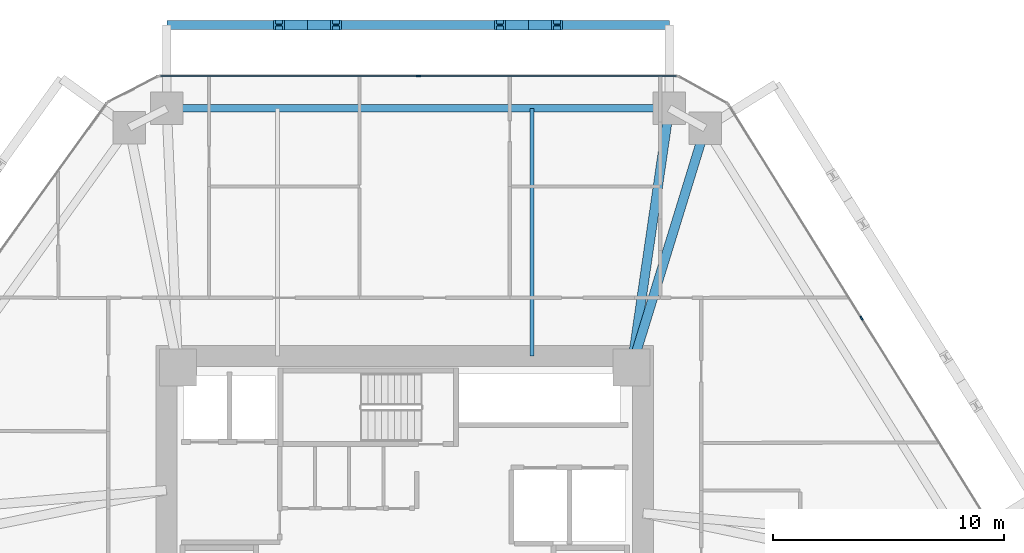
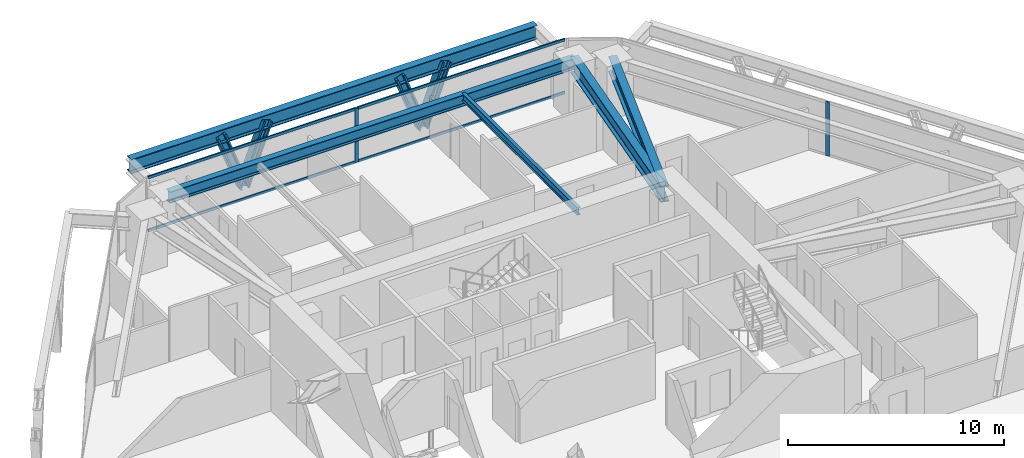
# One storey, part 8 of 15: 10 members, 5 beams, 2 elements without a shape of their own.
"""IFC4 building model written with IfcOpenShell, lengths in metres."""

from ifc_helpers import new_model, si_unit, direction, frame, origin, origin_2d, place, context, subcontext, project, spatial, rectangle, i_section, extrude, source, transform, mapped, material, layer, layer_set, material_profile, profile_set, type_object, type_shapes, element, aggregate, save


model = new_model("IFC4")

# Units and contexts
model_context = context("Model", 3, precision=1e-05, world=origin(), true_north=direction((0.0, 1.0)))
body_context = subcontext(model_context, "Body", "Model", "MODEL_VIEW")
ifc_project = project(units=[si_unit("LENGTHUNIT", "METRE"), si_unit("AREAUNIT", "SQUARE_METRE"), si_unit("VOLUMEUNIT", "CUBIC_METRE"), si_unit("PLANEANGLEUNIT", "RADIAN"), si_unit("MASSUNIT", "GRAM", prefix="KILO")], contexts=[model_context])

# Site, building, storey
site_placement = place(None, origin())
site = spatial("IfcSite", under=ifc_project, at=site_placement, CompositionType="ELEMENT")
building_placement = place(site_placement, origin())
building = spatial("IfcBuilding", under=site, at=building_placement, Name="Durnholm Broadcast Tower", CompositionType="ELEMENT")
storey_placement = place(building_placement, frame((0.0, 0.0, 42.300048828125)))
storey = spatial("IfcBuildingStorey", under=building, at=storey_placement, Name="L09", CompositionType="ELEMENT", Elevation=42.300048828125)

# Beams
ifc_material_1 = material(Name="Steel ASTM A992 Grade 50", Category="steel")
ifc_material_profile_1 = material_profile(ifc_material_1, i_section(OverallWidth=0.3291015625, OverallDepth=0.635009765625, WebThickness=0.017822265625, FlangeThickness=0.031005859375, FilletRadius=0.02783203125, at=origin_2d()), Name="W24X162")
ifc_profile_set_1 = profile_set([ifc_material_profile_1], Name="Steel ASTM A992 Grade 50")
beam_type_1 = type_object("IfcBeamType", Name="STL-SP-W24X162", PredefinedType="SPANDREL", material=ifc_profile_set_1)
shared_shape_1 = source(origin(), body_context, "Body", "SweptSolid", [
    extrude(i_section(OverallWidth=0.3291015625, OverallDepth=0.635009765625, WebThickness=0.017822265625, FlangeThickness=0.031005859375, FilletRadius=0.02783203125, at=origin_2d()), origin(), (0.0, 0.0, 1.0), 21.7138671875),
])
type_shapes(beam_type_1, [shared_shape_1])
beam_1_placement = place(storey_placement, frame((-10.28271484375, 19.0, 2.7275390625), z_axis=(1.0, 0.0, 0.0), x_axis=(0.0, 1.0, 0.0)))
element("IfcBeam", 1, at=beam_1_placement, inside=storey, type_object=beam_type_1, Name="L09 perimeter spandrel girder 05", PredefinedType="SPANDREL", context=body_context, shape_type="MappedRepresentation", body=[
    mapped(shared_shape_1, transform((0.0, 0.0, 0.0), x_axis=(1.0, 0.0, 0.0), y_axis=(0.0, 1.0, 0.0), z_axis=(0.0, 0.0, 1.0), scale=1.0)),
])
ifc_material_profile_2 = material_profile(ifc_material_1, i_section(OverallWidth=0.404052734375, OverallDepth=0.885009765625, WebThickness=0.0244140625, FlangeThickness=0.0439453125, FilletRadius=0.03564453125, at=origin_2d()), Name="W33X291")
ifc_profile_set_2 = profile_set([ifc_material_profile_2], Name="Steel ASTM A992 Grade 50")
beam_type_2 = type_object("IfcBeamType", Name="STL-GR-W33X291", PredefinedType="USERDEFINED", material=ifc_profile_set_2)
shared_shape_2 = source(origin(), body_context, "Body", "SweptSolid", [
    extrude(i_section(OverallWidth=0.404052734375, OverallDepth=0.885009765625, WebThickness=0.0244140625, FlangeThickness=0.0439453125, FilletRadius=0.03564453125, at=origin_2d()), origin(), (0.0, 0.0, 1.0), 11.318115234375),
])
beam_2_placement = place(storey_placement, frame((9.800048828125, 7.800048828125, 2.6025390625), z_axis=(0.144114595679, 0.989561005352, 0.0), x_axis=(-0.989561005352, 0.144114595679, 0.0)))
element("IfcBeam", 2, at=beam_2_placement, inside=storey, type_object=beam_type_2, Name="L09 radial primary floor girder 06", ObjectType="GIRDER", PredefinedType="USERDEFINED", context=body_context, shape_type="MappedRepresentation", body=[
    mapped(shared_shape_2, transform((0.0, 0.0, 0.0), x_axis=(1.0, 0.0, 0.0), y_axis=(0.0, 1.0, 0.0), z_axis=(0.0, 0.0, 1.0), scale=1.0)),
])
shared_shape_3 = source(origin(), body_context, "Body", "SweptSolid", [
    extrude(i_section(OverallWidth=0.404052734375, OverallDepth=0.885009765625, WebThickness=0.0244140625, FlangeThickness=0.0439453125, FilletRadius=0.03564453125, at=origin_2d()), origin(), (0.0, 0.0, 1.0), 10.817138671875),
])
type_shapes(beam_type_2, [shared_shape_2, shared_shape_3])
beam_3_placement = place(storey_placement, frame((9.800048828125, 7.800048828125, 2.6025390625), z_axis=(0.294219068418, 0.955738007918, 0.0), x_axis=(-0.955738007918, 0.294219068418, 0.0)))
element("IfcBeam", 3, at=beam_3_placement, inside=storey, type_object=beam_type_2, Name="L09 radial primary floor girder 07", ObjectType="GIRDER", PredefinedType="USERDEFINED", context=body_context, shape_type="MappedRepresentation", body=[
    mapped(shared_shape_3, transform((0.0, 0.0, 0.0), x_axis=(1.0, 0.0, 0.0), y_axis=(0.0, 1.0, 0.0), z_axis=(0.0, 0.0, 1.0), scale=1.0)),
])
ifc_material_profile_3 = material_profile(ifc_material_1, i_section(OverallWidth=0.180908203125, OverallDepth=0.417236328125, WebThickness=0.010986328125, FlangeThickness=0.018310546875, FilletRadius=0.01904296875, at=origin_2d()), Name="W16X57")
ifc_profile_set_3 = profile_set([ifc_material_profile_3], Name="Steel ASTM A992 Grade 50")
beam_type_3 = type_object("IfcBeamType", Name="STL-BJ-W16X57", PredefinedType="JOIST", material=ifc_profile_set_3)
shared_shape_4 = source(origin(), body_context, "Body", "SweptSolid", [
    extrude(i_section(OverallWidth=0.180908203125, OverallDepth=0.417236328125, WebThickness=0.010986328125, FlangeThickness=0.018310546875, FilletRadius=0.01904296875, at=origin_2d()), origin(), (0.0, 0.0, 1.0), 10.699951171875),
])
type_shapes(beam_type_3, [shared_shape_4])
beam_4_placement = place(storey_placement, frame((5.5, 8.300048828125, 2.83642578125), z_axis=(0.0, 1.0, 0.0), x_axis=(-1.0, 0.0, 0.0)))
element("IfcBeam", 4, at=beam_4_placement, inside=storey, type_object=beam_type_3, Name="L09 secondary floor joist 4.2", PredefinedType="JOIST", context=body_context, shape_type="MappedRepresentation", body=[
    mapped(shared_shape_4, transform((0.0, 0.0, 0.0), x_axis=(1.0, 0.0, 0.0), y_axis=(0.0, 1.0, 0.0), z_axis=(0.0, 0.0, 1.0), scale=1.0)),
])
ifc_material_profile_4 = material_profile(ifc_material_1, i_section(OverallWidth=0.385009765625, OverallDepth=0.802978515625, WebThickness=0.023681640625, FlangeThickness=0.0419921875, FilletRadius=0.032958984375, at=origin_2d()), Name="W30X261")
ifc_profile_set_4 = profile_set([ifc_material_profile_4], Name="Steel ASTM A992 Grade 50")
beam_type_4 = type_object("IfcBeamType", Name="BM-EXO-TIE", PredefinedType="USERDEFINED", material=ifc_profile_set_4)
shared_shape_5 = source(origin(), body_context, "Body", "SweptSolid", [
    extrude(i_section(OverallWidth=0.385009765625, OverallDepth=0.802978515625, WebThickness=0.023681640625, FlangeThickness=0.0419921875, FilletRadius=0.032958984375, at=origin_2d()), origin(), (0.0, 0.0, 1.0), 21.7138671875),
])
type_shapes(beam_type_4, [shared_shape_5])
beam_5_placement = place(storey_placement, frame((11.43115234375, 22.60009765625, 2.30859375), z_axis=(-1.0, 0.0, 0.0), x_axis=(0.0, -1.0, 0.0)))
element("IfcBeam", 5, at=beam_5_placement, inside=storey, type_object=beam_type_4, Name="L09 exoskeleton collector spandrel F4", PredefinedType="SPANDREL", context=body_context, shape_type="MappedRepresentation", body=[
    mapped(shared_shape_5, transform((0.0, 0.0, 0.0), x_axis=(1.0, 0.0, 0.0), y_axis=(0.0, 1.0, 0.0), z_axis=(0.0, 0.0, 1.0), scale=1.0)),
])

# Members
ifc_material_2 = material(Name="Steel ASTM A913 Grade 65", Category="steel")
ifc_material_profile_5 = material_profile(ifc_material_2, i_section(OverallWidth=0.43212890625, OverallDepth=0.497802734375, WebThickness=0.0556640625, FlangeThickness=0.0888671875, FilletRadius=0.030517578125, at=origin_2d()), Name="W14X500")
ifc_profile_set_5 = profile_set([ifc_material_profile_5], Name="Steel ASTM A913 Grade 65")
member_type_1 = type_object("IfcMemberType", Name="STL-DG-W14X500", PredefinedType="BRACE", material=ifc_profile_set_5)
shared_shape_6 = source(origin(), body_context, "Body", "SweptSolid", [
    extrude(i_section(OverallWidth=0.43212890625, OverallDepth=0.497802734375, WebThickness=0.0556640625, FlangeThickness=0.0888671875, FilletRadius=0.030517578125, at=origin_2d()), origin(), (0.0, 0.0, 1.0), 3.523193359375),
])
type_shapes(member_type_1, [shared_shape_6])
for number, where, z_axis, x_axis, name in (
    (6, (5.351318359375, 22.60009765625, -0.991455078125), (0.350219588454, 0.0, 0.936667625075), (0.0, 1.0, 0.0), "L09 stand-off diagrid brace F4.D1.1"),
    (7, (5.351318359375, 22.60009765625, -0.991455078125), (-0.350219588454, 0.0, 0.936667625075), (0.0, -1.0, 0.0), "L09 stand-off diagrid brace F4.D1.2"),
    (8, (-4.202880859375, 22.60009765625, -0.991455078125), (0.350219588454, 0.0, 0.936667625075), (0.0, 1.0, 0.0), "L09 stand-off diagrid brace F4.D2.1"),
    (9, (-4.202880859375, 22.60009765625, -0.991455078125), (-0.350219588454, 0.0, 0.936667625075), (0.0, -1.0, 0.0), "L09 stand-off diagrid brace F4.D2.2"),
):
    element("IfcMember", number, at=place(storey_placement, frame(where, z_axis=z_axis, x_axis=x_axis)), inside=storey, type_object=member_type_1, Name=name, PredefinedType="BRACE", context=body_context, shape_type="MappedRepresentation", body=[
        mapped(shared_shape_6, transform((0.0, 0.0, 0.0), x_axis=(1.0, 0.0, 0.0), y_axis=(0.0, 1.0, 0.0), z_axis=(0.0, 0.0, 1.0), scale=1.0)),
    ])

# Curtain wall, member
ifc_material_3 = material(Name="Aluminium and Solar Control IGU", Category="aluminium")
ifc_layer = layer(ifc_material_3, 0.18994140625)
ifc_layer_set = layer_set([ifc_layer], Name="Aluminium and Solar Control IGU")
curtain_wall_type = type_object("IfcCurtainWallType", Name="CW-SYS-3", PredefinedType="NOTDEFINED", material=ifc_layer_set)
curtain_wall_1_placement = place(storey_placement, origin())
curtain_wall_1 = element("IfcCurtainWall", 10, at=curtain_wall_1_placement, inside=storey, type_object=curtain_wall_type, Name="L09 curtain wall CW-Z12-VIS CW-L09-F04", PredefinedType="NOTDEFINED")
ifc_material_4 = material(Name="Aluminium 6063-T6", Category="aluminium")
ifc_material_profile_6 = material_profile(ifc_material_4, rectangle(XDim=0.070068359375, YDim=0.18994140625, at=origin_2d()), Name="CWM70X190")
ifc_profile_set_6 = profile_set([ifc_material_profile_6], Name="Aluminium 6063-T6")
member_type_2 = type_object("IfcMemberType", Name="CW-SYS-3-MUL", PredefinedType="MULLION", material=ifc_profile_set_6)
shared_shape_7 = source(origin(), body_context, "Body", "SweptSolid", [
    extrude(rectangle(XDim=0.070068359375, YDim=0.18994140625, at=origin_2d()), origin(), (0.0, 0.0, 1.0), 3.06005859375),
])
type_shapes(member_type_2, [shared_shape_7])
member_1_placement = place(storey_placement, frame((0.5869140625, 20.39990234375, 0.0), z_axis=(0.0, 0.0, 1.0), x_axis=(0.0, 1.0, 0.0)))
member_1 = element("IfcMember", 11, at=member_1_placement, type_object=member_type_2, Name="CW-Z12-VIS mullion 2", PredefinedType="MULLION", context=body_context, shape_type="MappedRepresentation", body=[
    mapped(shared_shape_7, transform((0.0, 0.0, 0.0), x_axis=(1.0, 0.0, 0.0), y_axis=(0.0, 1.0, 0.0), z_axis=(0.0, 0.0, 1.0), scale=1.0)),
])

curtain_wall_2_placement = place(storey_placement, origin())
curtain_wall_2 = element("IfcCurtainWall", 12, at=curtain_wall_2_placement, inside=storey, type_object=curtain_wall_type, Name="L09 curtain wall CW-Z12-VIS CW-L09-F06", PredefinedType="NOTDEFINED")
member_2_placement = place(storey_placement, frame((19.741943359375, 9.93212890625, 0.0), z_axis=(0.0, 0.0, 1.0), x_axis=(0.848875785503, 0.528592376777, 0.0)))
member_2 = element("IfcMember", 13, at=member_2_placement, type_object=member_type_2, Name="CW-Z12-VIS mullion 2", PredefinedType="MULLION", context=body_context, shape_type="MappedRepresentation", body=[
    mapped(shared_shape_7, transform((0.0, 0.0, 0.0), x_axis=(1.0, 0.0, 0.0), y_axis=(0.0, 1.0, 0.0), z_axis=(0.0, 0.0, 1.0), scale=1.0)),
])
aggregate(curtain_wall_2, [member_2])

# Member
ifc_material_profile_7 = material_profile(ifc_material_4, rectangle(XDim=0.070068359375, YDim=0.14990234375, at=origin_2d()), Name="CWT70X150")
ifc_profile_set_7 = profile_set([ifc_material_profile_7], Name="Aluminium 6063-T6")
member_type_3 = type_object("IfcMemberType", Name="CW-SYS-3-TRN", PredefinedType="USERDEFINED", material=ifc_profile_set_7)
shared_shape_8 = source(origin(), body_context, "Body", "SweptSolid", [
    extrude(rectangle(XDim=0.070068359375, YDim=0.14990234375, at=origin_2d()), origin(), (0.0, 0.0, 1.0), 11.10205078125),
])
type_shapes(member_type_3, [shared_shape_8])
member_3_placement = place(storey_placement, frame((-10.55029296875, 20.39990234375, 0.034912109375), z_axis=(1.0, 0.0, 0.0), x_axis=(0.0, 1.0, 0.0)))
member_3 = element("IfcMember", 14, at=member_3_placement, type_object=member_type_3, Name="CW-Z12-VIS transom 1.1", ObjectType="TRANSOM", PredefinedType="USERDEFINED", context=body_context, shape_type="MappedRepresentation", body=[
    mapped(shared_shape_8, transform((0.0, 0.0, 0.0), x_axis=(1.0, 0.0, 0.0), y_axis=(0.0, 1.0, 0.0), z_axis=(0.0, 0.0, 1.0), scale=1.0)),
])

member_4_placement = place(storey_placement, frame((-10.55029296875, 20.39990234375, 3.02490234375), z_axis=(1.0, 0.0, 0.0), x_axis=(0.0, 1.0, 0.0)))
member_4 = element("IfcMember", 15, at=member_4_placement, type_object=member_type_3, Name="CW-Z12-VIS transom 1.2", ObjectType="TRANSOM", PredefinedType="USERDEFINED", context=body_context, shape_type="MappedRepresentation", body=[
    mapped(shared_shape_8, transform((0.0, 0.0, 0.0), x_axis=(1.0, 0.0, 0.0), y_axis=(0.0, 1.0, 0.0), z_axis=(0.0, 0.0, 1.0), scale=1.0)),
])

member_5_placement = place(storey_placement, frame((0.621826171875, 20.39990234375, 0.034912109375), z_axis=(1.0, 0.0, 0.0), x_axis=(0.0, 1.0, 0.0)))
member_5 = element("IfcMember", 16, at=member_5_placement, type_object=member_type_3, Name="CW-Z12-VIS transom 2.1", ObjectType="TRANSOM", PredefinedType="USERDEFINED", context=body_context, shape_type="MappedRepresentation", body=[
    mapped(shared_shape_8, transform((0.0, 0.0, 0.0), x_axis=(1.0, 0.0, 0.0), y_axis=(0.0, 1.0, 0.0), z_axis=(0.0, 0.0, 1.0), scale=1.0)),
])

member_6_placement = place(storey_placement, frame((0.621826171875, 20.39990234375, 3.02490234375), z_axis=(1.0, 0.0, 0.0), x_axis=(0.0, 1.0, 0.0)))
member_6 = element("IfcMember", 17, at=member_6_placement, type_object=member_type_3, Name="CW-Z12-VIS transom 2.2", ObjectType="TRANSOM", PredefinedType="USERDEFINED", context=body_context, shape_type="MappedRepresentation", body=[
    mapped(shared_shape_8, transform((0.0, 0.0, 0.0), x_axis=(1.0, 0.0, 0.0), y_axis=(0.0, 1.0, 0.0), z_axis=(0.0, 0.0, 1.0), scale=1.0)),
])

aggregate(curtain_wall_1, [member_1, member_3, member_4, member_5, member_6])

save(model, "model.ifc")
